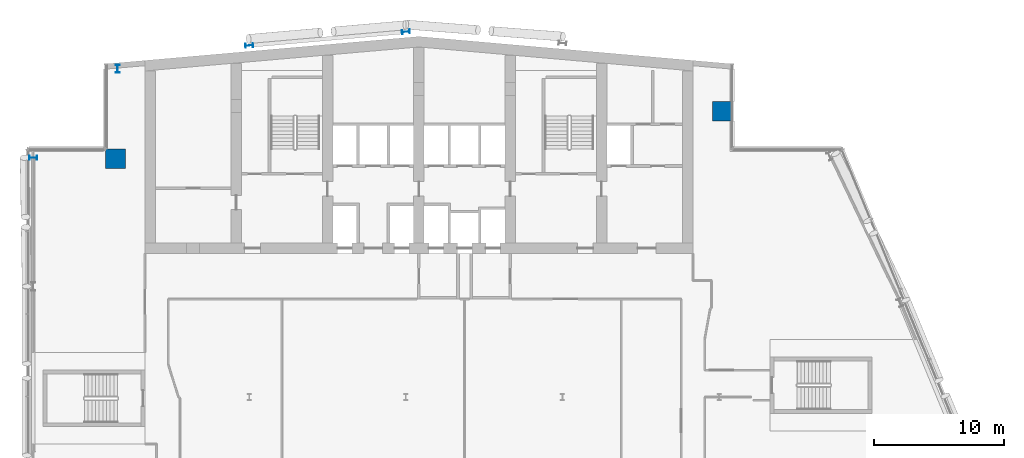
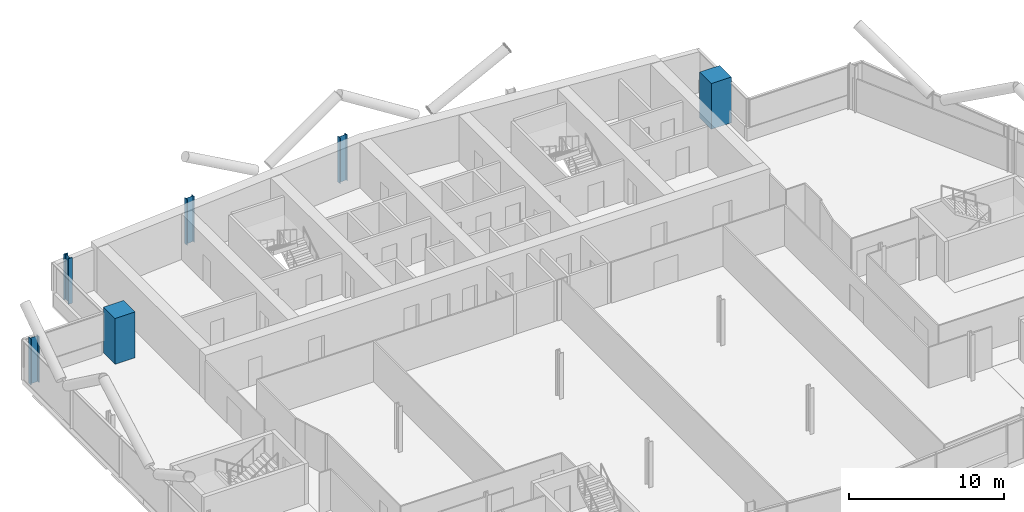
# One storey, part 3 of 26: 6 columns.
"""IFC4 building model written with IfcOpenShell, lengths in metres."""

import ifcopenshell
import ifcopenshell.guid

model = None  # the IFC model being written
_history = None  # IfcOwnerHistory: only IFC2X3 demands one
_inside = {}  # id of a spatial element -> (the spatial element, [elements in it])
_under = {}  # id of a project, library or spatial element -> (it, [spatial elements below it])
_declared = {}  # id of a project -> (the project, [libraries it declares])
_typed = {}  # id of a type object -> (the type object, [elements of that type])
_made_of = {}  # id of a material, layer set ... -> (it, [elements and type objects made of it])


def new_model(schema):
    """Start an empty IFC model of exactly this schema.

    Asked for "IFC4X3", IfcOpenShell would pick the latest addendum, in which some entities
    have other attributes; the version numbers below select the first issue.
    IFC2X3 requires an IfcOwnerHistory on every rooted entity: one is made here for all.
    """
    global model, _history
    if schema == "IFC4X3":
        model = ifcopenshell.file(schema_version=(4, 3, 0, 0))
    else:
        model = ifcopenshell.file(schema=schema)
    _inside.clear()
    _under.clear()
    _declared.clear()
    _typed.clear()
    _made_of.clear()
    _history = None
    if model.schema == "IFC2X3":
        org = make("IfcOrganization", Name="unknown")
        user = make(
            "IfcPersonAndOrganization",
            ThePerson=make("IfcPerson", FamilyName="unknown"),
            TheOrganization=org,
        )
        app = make(
            "IfcApplication",
            ApplicationDeveloper=org,
            Version="unknown",
            ApplicationFullName="unknown",
            ApplicationIdentifier="unknown",
        )
        _history = make(
            "IfcOwnerHistory",
            OwningUser=user,
            OwningApplication=app,
            ChangeAction="ADDED",
            CreationDate=0,
        )
    return model


def make(cls, **values):
    """One entity of the class cls with the attributes given. An attribute that is None is left unset."""
    return model.create_entity(
        cls, **{name: value for name, value in values.items() if value is not None}
    )


def rooted(cls, **values):
    """An entity with a GlobalId (a new one), such as an element, a storey or a relation."""
    return make(cls, GlobalId=ifcopenshell.guid.new(), OwnerHistory=_history, **values)


def si_unit(unit_type, name, prefix=None):
    """IfcSIUnit, for example si_unit("LENGTHUNIT", "METRE", prefix="MILLI")."""
    return make("IfcSIUnit", UnitType=unit_type, Prefix=prefix, Name=name)


def assignment(units):
    """IfcUnitAssignment: the units of a project."""
    return None if units is None else make("IfcUnitAssignment", Units=units)


def point(xyz):
    """IfcCartesianPoint."""
    return None if xyz is None else make("IfcCartesianPoint", Coordinates=xyz)


def direction(xyz):
    """IfcDirection."""
    return None if xyz is None else make("IfcDirection", DirectionRatios=xyz)


def frame(location, z_axis=None, x_axis=None):
    """IfcAxis2Placement3D, a coordinate frame: its origin and axes. An axis left out is left unset."""
    return make(
        "IfcAxis2Placement3D",
        Location=point(location),
        Axis=direction(z_axis),
        RefDirection=direction(x_axis),
    )


def frame_2d(location, x_axis=None):
    """IfcAxis2Placement2D, a coordinate frame in the plane: its origin and x axis."""
    return make(
        "IfcAxis2Placement2D", Location=point(location), RefDirection=direction(x_axis)
    )


def origin():
    """The frame at (0, 0, 0) with its axes left unset."""
    return frame((0.0, 0.0, 0.0))


def origin_2d():
    """The frame at (0, 0) in the plane with its x axis left unset."""
    return frame_2d((0.0, 0.0))


def place(relative_to, where):
    """IfcLocalPlacement: puts the frame where relative to a parent placement (None: the world)."""
    return make(
        "IfcLocalPlacement", PlacementRelTo=relative_to, RelativePlacement=where
    )


def context(
    kind, dimensions, precision=None, world=None, true_north=None, identifier=None
):
    """IfcGeometricRepresentationContext, for example the 3D "Model" context."""
    return make(
        "IfcGeometricRepresentationContext",
        ContextIdentifier=identifier,
        ContextType=kind,
        CoordinateSpaceDimension=dimensions,
        Precision=precision,
        WorldCoordinateSystem=world,
        TrueNorth=true_north,
    )


def subcontext(parent, identifier, kind, view, scale=None):
    """IfcGeometricRepresentationSubContext, for example "Body" below "Model"."""
    return make(
        "IfcGeometricRepresentationSubContext",
        ContextIdentifier=identifier,
        ContextType=kind,
        ParentContext=parent,
        TargetScale=scale,
        TargetView=view,
    )


def project(units=None, contexts=None):
    """IfcProject with its units and contexts."""
    return rooted(
        "IfcProject",
        Name="project",
        RepresentationContexts=contexts,
        UnitsInContext=assignment(units),
    )


def spatial(cls, under=None, at=None, **own):
    """A site, building, storey or space (cls), placed at a placement, below another one or the project."""
    s = rooted(cls, ObjectPlacement=at, **own)
    if under is not None:
        _under.setdefault(under.id(), (under, []))[1].append(s)
    return s


def profile(cls, at=None, kind="AREA", **sizes):
    """A parametric profile (cls). Its sizes go by their IFC names, for example OverallWidth=200.0."""
    return make(cls, ProfileType=kind, Position=at, **sizes)


def rectangle(**sizes):
    """IfcRectangleProfileDef."""
    return profile("IfcRectangleProfileDef", **sizes)


def i_section(**sizes):
    """IfcIShapeProfileDef."""
    return profile("IfcIShapeProfileDef", **sizes)


def extrude(swept, where, along, depth):
    """IfcExtrudedAreaSolid: the profile swept, set in the frame where, extruded along a direction by depth."""
    return make(
        "IfcExtrudedAreaSolid",
        SweptArea=swept,
        Position=where,
        ExtrudedDirection=direction(along),
        Depth=depth,
    )


def shape(context_of_items, identifier, shape_type, items):
    """IfcShapeRepresentation: the items that make up one representation, for example the "Body"."""
    return make(
        "IfcShapeRepresentation",
        ContextOfItems=context_of_items,
        RepresentationIdentifier=identifier,
        RepresentationType=shape_type,
        Items=items,
    )


def material(Name=None, Category=None):
    """IfcMaterial."""
    return make("IfcMaterial", Name=Name, Category=Category)


def material_profile(
    of_material, cross_section, Name=None, Category=None, Priority=None
):
    """IfcMaterialProfile: a cross section and its material."""
    return make(
        "IfcMaterialProfile",
        Name=Name,
        Material=of_material,
        Profile=cross_section,
        Priority=Priority,
        Category=Category,
    )


def profile_set(profiles, Name=None, composite=None):
    """IfcMaterialProfileSet."""
    return make(
        "IfcMaterialProfileSet",
        Name=Name,
        MaterialProfiles=profiles,
        CompositeProfile=composite,
    )


def made_of(thing, what):
    """Note that an element or type object is made of a material, layer set ...; save() writes the relation."""
    if what is not None:
        _made_of.setdefault(what.id(), (what, []))[1].append(thing)
    return thing


def type_object(cls, material=None, **own):
    """A type object (cls), such as IfcWallType, which elements share."""
    return made_of(rooted(cls, **own), material)


def element(
    cls,
    number,
    at=None,
    inside=None,
    cuts=None,
    type_object=None,
    material=None,
    context=None,
    identifier="Body",
    shape_type=None,
    held_by="IfcProductDefinitionShape",
    body=None,
    shapes=None,
    **own,
):
    """One element of the class cls, such as IfcWall. Its Tag is "e" and its number.

    at: its placement. inside: the storey or other place that contains it. cuts: it is an
    opening in that element (IfcRelVoidsElement). A single representation is given by context,
    identifier, shape_type and body (its items); several are given by shapes. held_by: the class
    of the entity that holds the representations. save() writes the other relations.
    """
    e = rooted(cls, Tag="e%d" % number, ObjectPlacement=at, **own)
    if body is not None:
        shapes = [shape(context, identifier, shape_type, body)]
    if shapes is not None:
        e.Representation = make(held_by, Representations=shapes)
    if inside is not None:
        _inside.setdefault(inside.id(), (inside, []))[1].append(e)
    if cuts is not None:
        rooted(
            "IfcRelVoidsElement", RelatingBuildingElement=cuts, RelatedOpeningElement=e
        )
    if type_object is not None:
        _typed.setdefault(type_object.id(), (type_object, []))[1].append(e)
    return made_of(e, material)


def aggregate(whole, parts):
    """IfcRelAggregates: a whole, such as a stair, and the parts it consists of."""
    return rooted("IfcRelAggregates", RelatingObject=whole, RelatedObjects=parts)


def save(model, path):
    """Write the relations noted so far, then the file.

    IfcRelAggregates (storeys below a building ...), IfcRelContainedInSpatialStructure (elements
    in a storey), IfcRelDefinesByType, IfcRelAssociatesMaterial and IfcRelDeclares: one each for
    every whole, place, type object, material and project.
    """
    for whole, parts in _under.values():
        aggregate(whole, parts)
    for where, things in _inside.values():
        rooted(
            "IfcRelContainedInSpatialStructure",
            RelatedElements=things,
            RelatingStructure=where,
        )
    for kind, things in _typed.values():
        rooted("IfcRelDefinesByType", RelatedObjects=things, RelatingType=kind)
    for what, things in _made_of.values():
        rooted("IfcRelAssociatesMaterial", RelatedObjects=things, RelatingMaterial=what)
    for by, libraries in _declared.values():
        rooted("IfcRelDeclares", RelatingContext=by, RelatedDefinitions=libraries)
    model.write(path)


model = new_model("IFC4")

# Units and contexts
model_context = context("Model", 3, precision=1e-05, world=origin(), true_north=direction((0.0, 1.0)))
body_context = subcontext(model_context, "Body", "Model", "MODEL_VIEW")
ifc_project = project(units=[si_unit("LENGTHUNIT", "METRE"), si_unit("AREAUNIT", "SQUARE_METRE"), si_unit("VOLUMEUNIT", "CUBIC_METRE"), si_unit("PLANEANGLEUNIT", "RADIAN"), si_unit("MASSUNIT", "GRAM", prefix="KILO")], contexts=[model_context])

# Site, building, storey
site_placement = place(None, origin())
site = spatial("IfcSite", under=ifc_project, at=site_placement, CompositionType="ELEMENT")
building_placement = place(site_placement, origin())
building = spatial("IfcBuilding", under=site, at=building_placement, Name="Wharfspan Tower", CompositionType="ELEMENT")
storey_placement = place(building_placement, frame((0.0, 0.0, 180.699951)))
storey = spatial("IfcBuildingStorey", under=building, at=storey_placement, Name="L44", CompositionType="ELEMENT", Elevation=180.699951)

# Columns
ifc_material_1 = material(Name="Steel S355J2", Category="steel")
ifc_material_profile_1 = material_profile(ifc_material_1, i_section(OverallWidth=0.300049, OverallDepth=0.600098, WebThickness=0.015381, FlangeThickness=0.030029, FilletRadius=0.0271, at=origin_2d()))
ifc_profile_set_1 = profile_set([ifc_material_profile_1], Name="Steel S355J2")
column_type_1 = type_object("IfcColumnType", Name="Column HEB 600", PredefinedType="COLUMN", material=ifc_profile_set_1)
for number, where, z_axis, x_axis, name in (
    (1, (24.0, 49.937256, 0.0), (0.0, 0.0, 1.0), (-0.087156, 0.996198, 0.0), "Rear column R.1 L44"),
    (2, (36.0, 50.987061, 0.0), (0.0, 0.0, 1.0), (-0.087156, 0.996198, 0.0), "Rear column R.2 L44"),
):
    element("IfcColumn", number, at=place(storey_placement, frame(where, z_axis=z_axis, x_axis=x_axis)), inside=storey, type_object=column_type_1, Name=name, PredefinedType="COLUMN", context=body_context, shape_type="SweptSolid", body=[
        extrude(i_section(OverallWidth=0.300049, OverallDepth=0.600098, WebThickness=0.015381, FlangeThickness=0.030029, FilletRadius=0.0271, at=origin_2d()), origin(), (0.0, 0.0, 1.0), 3.600098),
    ])
ifc_material_profile_2 = material_profile(ifc_material_1, i_section(OverallWidth=0.304932, OverallDepth=0.620117, WebThickness=0.020996, FlangeThickness=0.040039, FilletRadius=0.0271, at=origin_2d()))
ifc_profile_set_2 = profile_set([ifc_material_profile_2], Name="Steel S355J2")
column_type_2 = type_object("IfcColumnType", Name="Column HEM 600", PredefinedType="COLUMN", material=ifc_profile_set_2)
for number, where, z_axis, x_axis, name in (
    (3, (13.911133, 48.141113, 0.0), (0.0, 0.0, 1.0), (-1.0, 0.0, 0.0), "Perimeter column PNRW-V.1 L44"),
    (4, (7.450439, 41.333008, 0.0), (0.0, 0.0, 1.0), (0.0, 1.0, 0.0), "Perimeter column PNRW-H.1 L44"),
):
    element("IfcColumn", number, at=place(storey_placement, frame(where, z_axis=z_axis, x_axis=x_axis)), inside=storey, type_object=column_type_2, Name=name, PredefinedType="COLUMN", context=body_context, shape_type="SweptSolid", body=[
        extrude(i_section(OverallWidth=0.304932, OverallDepth=0.620117, WebThickness=0.020996, FlangeThickness=0.040039, FilletRadius=0.0271, at=origin_2d()), origin(), (0.0, 0.0, 1.0), 3.600098),
    ])
ifc_material_2 = material(Name="Concrete C60/75", Category="concrete")
ifc_material_profile_3 = material_profile(ifc_material_2, rectangle(XDim=1.5, YDim=1.5, at=origin_2d()))
ifc_profile_set_3 = profile_set([ifc_material_profile_3], Name="Concrete C60/75")
column_type_3 = type_object("IfcColumnType", Name="Mega column 1500 C60/75", PredefinedType="COLUMN", material=ifc_profile_set_3)
for number, where, z_axis, x_axis, name in (
    (5, (13.75, 41.25, 0.0), (0.0, 0.0, 1.0), (1.0, 0.0, 0.0), "Mega column MC2 L44"),
    (6, (60.25, 44.899902, 0.0), (0.0, 0.0, 1.0), (1.0, 0.0, 0.0), "Mega column MC3 L44"),
):
    element("IfcColumn", number, at=place(storey_placement, frame(where, z_axis=z_axis, x_axis=x_axis)), inside=storey, type_object=column_type_3, Name=name, PredefinedType="COLUMN", context=body_context, shape_type="SweptSolid", body=[
        extrude(rectangle(XDim=1.5, YDim=1.5, at=origin_2d()), origin(), (0.0, 0.0, 1.0), 3.600098),
    ])

save(model, "model.ifc")
